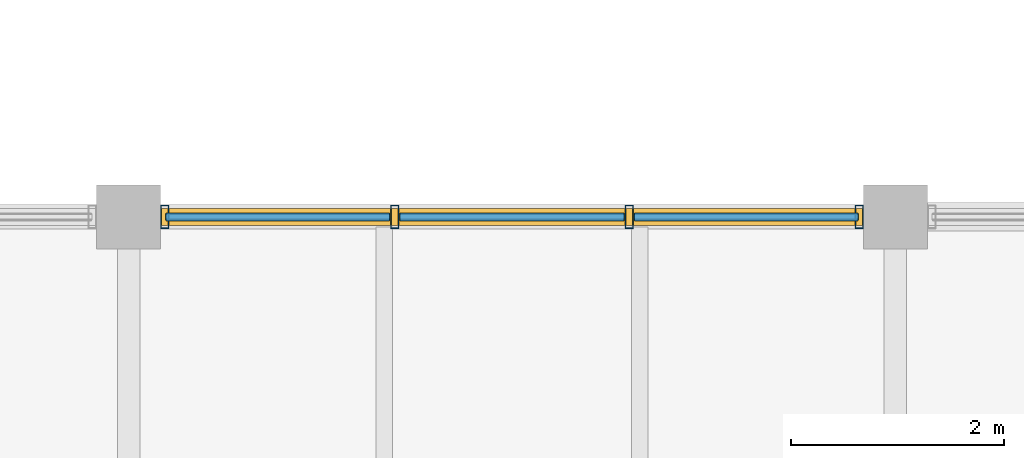
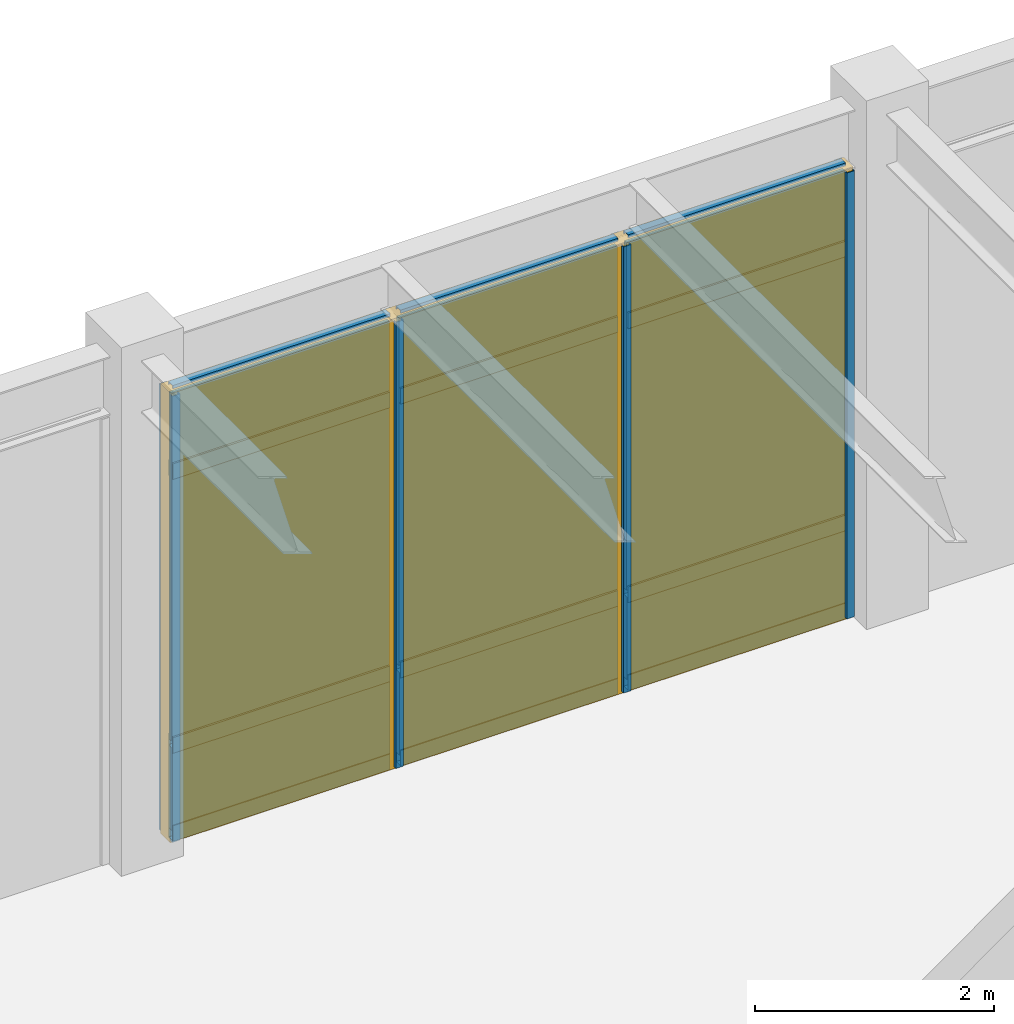
# One storey, part 60 of 97: 16 members, 6 plates, 1 curtain wall.
"""IFC4 building model written with IfcOpenShell, lengths in metres."""

from ifc_helpers import new_model, si_unit, direction, frame, origin, origin_2d, place, context, subcontext, project, spatial, rectangle, hollow_rectangle, extrude, material, layer, layer_set, material_profile, profile_set, type_object, element, aggregate, save


model = new_model("IFC4")

# Units and contexts
model_context = context("Model", 3, precision=1e-05, world=origin(), true_north=direction((0.0, 1.0)))
body_context = subcontext(model_context, "Body", "Model", "MODEL_VIEW")
ifc_project = project(units=[si_unit("LENGTHUNIT", "METRE"), si_unit("AREAUNIT", "SQUARE_METRE"), si_unit("VOLUMEUNIT", "CUBIC_METRE"), si_unit("PLANEANGLEUNIT", "RADIAN"), si_unit("MASSUNIT", "GRAM", prefix="KILO")], contexts=[model_context])

# Member
ifc_material_1 = material(Name="Anodized Aluminium 6063-T6", Category="aluminium")
ifc_material_profile_1 = material_profile(ifc_material_1, hollow_rectangle(XDim=0.074951171875, YDim=0.219970703125, WallThickness=0.0048828125, at=origin_2d()), Name="ALU 75x220x5")
ifc_profile_set_1 = profile_set([ifc_material_profile_1], Name="Anodized Aluminium 6063-T6")
member_type_1 = type_object("IfcMemberType", Name="CWM-75X180", PredefinedType="MULLION", material=ifc_profile_set_1)
site_placement = place(None, origin())
building_placement = place(site_placement, origin())
storey_placement = place(building_placement, origin())
member_1_placement = place(storey_placement, frame((93.93994140625, 57.60009765625, 0.02001953125), z_axis=(0.0, 0.0, 1.0), x_axis=(1.0, 0.0, 0.0)))
member_1 = element("IfcMember", 1, at=member_1_placement, type_object=member_type_1, Name="Curtain wall mullion CW-L01-13-07-N-00", PredefinedType="MULLION", context=body_context, shape_type="SweptSolid", body=[
    extrude(hollow_rectangle(XDim=0.074951171875, YDim=0.219970703125, WallThickness=0.0048828125, at=origin_2d()), origin(), (0.0, 0.0, 1.0), 4.557861328125),
])

member_2_placement = place(storey_placement, frame((96.10009765625, 57.60009765625, 0.02001953125), z_axis=(0.0, 0.0, 1.0), x_axis=(1.0, 0.0, 0.0)))
member_2 = element("IfcMember", 2, at=member_2_placement, type_object=member_type_1, Name="Curtain wall mullion CW-L01-13-07-N-01", PredefinedType="MULLION", context=body_context, shape_type="SweptSolid", body=[
    extrude(hollow_rectangle(XDim=0.074951171875, YDim=0.219970703125, WallThickness=0.0048828125, at=origin_2d()), origin(), (0.0, 0.0, 1.0), 4.557861328125),
])

member_3_placement = place(storey_placement, frame((98.300048828125, 57.60009765625, 0.02001953125), z_axis=(0.0, 0.0, 1.0), x_axis=(1.0, 0.0, 0.0)))
member_3 = element("IfcMember", 3, at=member_3_placement, type_object=member_type_1, Name="Curtain wall mullion CW-L01-13-07-N-02", PredefinedType="MULLION", context=body_context, shape_type="SweptSolid", body=[
    extrude(hollow_rectangle(XDim=0.074951171875, YDim=0.219970703125, WallThickness=0.0048828125, at=origin_2d()), origin(), (0.0, 0.0, 1.0), 4.557861328125),
])

member_4_placement = place(storey_placement, frame((100.4599609375, 57.60009765625, 0.02001953125), z_axis=(0.0, 0.0, 1.0), x_axis=(1.0, 0.0, 0.0)))
member_4 = element("IfcMember", 4, at=member_4_placement, type_object=member_type_1, Name="Curtain wall mullion CW-L01-13-07-N-03", PredefinedType="MULLION", context=body_context, shape_type="SweptSolid", body=[
    extrude(hollow_rectangle(XDim=0.074951171875, YDim=0.219970703125, WallThickness=0.0048828125, at=origin_2d()), origin(), (0.0, 0.0, 1.0), 4.557861328125),
])

ifc_material_profile_2 = material_profile(ifc_material_1, hollow_rectangle(XDim=0.074951171875, YDim=0.159912109375, WallThickness=0.00390625, at=origin_2d()), Name="ALU 75x160x4")
ifc_profile_set_2 = profile_set([ifc_material_profile_2], Name="Anodized Aluminium 6063-T6")
member_type_2 = type_object("IfcMemberType", Name="CWT-75X150", PredefinedType="USERDEFINED", material=ifc_profile_set_2)
member_5_placement = place(storey_placement, frame((93.949951171875, 57.60009765625, 0.050048828125), z_axis=(1.0, 0.0, 0.0), x_axis=(0.0, 1.0, 0.0)))
member_5 = element("IfcMember", 5, at=member_5_placement, type_object=member_type_2, Name="Curtain wall transom CW-L01-13-07-N-1.01", ObjectType="TRANSOM", PredefinedType="USERDEFINED", context=body_context, shape_type="SweptSolid", body=[
    extrude(hollow_rectangle(XDim=0.074951171875, YDim=0.159912109375, WallThickness=0.00390625, at=origin_2d()), origin(), (0.0, 0.0, 1.0), 2.10009765625),
])

member_6_placement = place(storey_placement, frame((96.14990234375, 57.60009765625, 0.050048828125), z_axis=(1.0, 0.0, 0.0), x_axis=(0.0, 1.0, 0.0)))
member_6 = element("IfcMember", 6, at=member_6_placement, type_object=member_type_2, Name="Curtain wall transom CW-L01-13-07-N-1.02", ObjectType="TRANSOM", PredefinedType="USERDEFINED", context=body_context, shape_type="SweptSolid", body=[
    extrude(hollow_rectangle(XDim=0.074951171875, YDim=0.159912109375, WallThickness=0.00390625, at=origin_2d()), origin(), (0.0, 0.0, 1.0), 2.10009765625),
])

member_7_placement = place(storey_placement, frame((98.35009765625, 57.60009765625, 0.050048828125), z_axis=(1.0, 0.0, 0.0), x_axis=(0.0, 1.0, 0.0)))
member_7 = element("IfcMember", 7, at=member_7_placement, type_object=member_type_2, Name="Curtain wall transom CW-L01-13-07-N-1.03", ObjectType="TRANSOM", PredefinedType="USERDEFINED", context=body_context, shape_type="SweptSolid", body=[
    extrude(hollow_rectangle(XDim=0.074951171875, YDim=0.159912109375, WallThickness=0.00390625, at=origin_2d()), origin(), (0.0, 0.0, 1.0), 2.099853515625),
])

member_8_placement = place(storey_placement, frame((93.949951171875, 57.60009765625, 0.949951171875), z_axis=(1.0, 0.0, 0.0), x_axis=(0.0, 1.0, 0.0)))
member_8 = element("IfcMember", 8, at=member_8_placement, type_object=member_type_2, Name="Curtain wall transom CW-L01-13-07-N-2.01", ObjectType="TRANSOM", PredefinedType="USERDEFINED", context=body_context, shape_type="SweptSolid", body=[
    extrude(hollow_rectangle(XDim=0.074951171875, YDim=0.159912109375, WallThickness=0.00390625, at=origin_2d()), origin(), (0.0, 0.0, 1.0), 2.10009765625),
])

member_9_placement = place(storey_placement, frame((96.14990234375, 57.60009765625, 0.949951171875), z_axis=(1.0, 0.0, 0.0), x_axis=(0.0, 1.0, 0.0)))
member_9 = element("IfcMember", 9, at=member_9_placement, type_object=member_type_2, Name="Curtain wall transom CW-L01-13-07-N-2.02", ObjectType="TRANSOM", PredefinedType="USERDEFINED", context=body_context, shape_type="SweptSolid", body=[
    extrude(hollow_rectangle(XDim=0.074951171875, YDim=0.159912109375, WallThickness=0.00390625, at=origin_2d()), origin(), (0.0, 0.0, 1.0), 2.10009765625),
])

member_10_placement = place(storey_placement, frame((98.35009765625, 57.60009765625, 0.949951171875), z_axis=(1.0, 0.0, 0.0), x_axis=(0.0, 1.0, 0.0)))
member_10 = element("IfcMember", 10, at=member_10_placement, type_object=member_type_2, Name="Curtain wall transom CW-L01-13-07-N-2.03", ObjectType="TRANSOM", PredefinedType="USERDEFINED", context=body_context, shape_type="SweptSolid", body=[
    extrude(hollow_rectangle(XDim=0.074951171875, YDim=0.159912109375, WallThickness=0.00390625, at=origin_2d()), origin(), (0.0, 0.0, 1.0), 2.099853515625),
])

member_11_placement = place(storey_placement, frame((93.949951171875, 57.60009765625, 3.748046875), z_axis=(1.0, 0.0, 0.0), x_axis=(0.0, 1.0, 0.0)))
member_11 = element("IfcMember", 11, at=member_11_placement, type_object=member_type_2, Name="Curtain wall transom CW-L01-13-07-N-3.01", ObjectType="TRANSOM", PredefinedType="USERDEFINED", context=body_context, shape_type="SweptSolid", body=[
    extrude(hollow_rectangle(XDim=0.074951171875, YDim=0.159912109375, WallThickness=0.00390625, at=origin_2d()), origin(), (0.0, 0.0, 1.0), 2.10009765625),
])

member_12_placement = place(storey_placement, frame((96.14990234375, 57.60009765625, 3.748046875), z_axis=(1.0, 0.0, 0.0), x_axis=(0.0, 1.0, 0.0)))
member_12 = element("IfcMember", 12, at=member_12_placement, type_object=member_type_2, Name="Curtain wall transom CW-L01-13-07-N-3.02", ObjectType="TRANSOM", PredefinedType="USERDEFINED", context=body_context, shape_type="SweptSolid", body=[
    extrude(hollow_rectangle(XDim=0.074951171875, YDim=0.159912109375, WallThickness=0.00390625, at=origin_2d()), origin(), (0.0, 0.0, 1.0), 2.10009765625),
])

member_13_placement = place(storey_placement, frame((98.35009765625, 57.60009765625, 3.748046875), z_axis=(1.0, 0.0, 0.0), x_axis=(0.0, 1.0, 0.0)))
member_13 = element("IfcMember", 13, at=member_13_placement, type_object=member_type_2, Name="Curtain wall transom CW-L01-13-07-N-3.03", ObjectType="TRANSOM", PredefinedType="USERDEFINED", context=body_context, shape_type="SweptSolid", body=[
    extrude(hollow_rectangle(XDim=0.074951171875, YDim=0.159912109375, WallThickness=0.00390625, at=origin_2d()), origin(), (0.0, 0.0, 1.0), 2.099853515625),
])

member_14_placement = place(storey_placement, frame((93.949951171875, 57.60009765625, 4.548095703125), z_axis=(1.0, 0.0, 0.0), x_axis=(0.0, 1.0, 0.0)))
member_14 = element("IfcMember", 14, at=member_14_placement, type_object=member_type_2, Name="Curtain wall transom CW-L01-13-07-N-4.01", ObjectType="TRANSOM", PredefinedType="USERDEFINED", context=body_context, shape_type="SweptSolid", body=[
    extrude(hollow_rectangle(XDim=0.074951171875, YDim=0.159912109375, WallThickness=0.00390625, at=origin_2d()), origin(), (0.0, 0.0, 1.0), 2.10009765625),
])

member_15_placement = place(storey_placement, frame((96.14990234375, 57.60009765625, 4.548095703125), z_axis=(1.0, 0.0, 0.0), x_axis=(0.0, 1.0, 0.0)))
member_15 = element("IfcMember", 15, at=member_15_placement, type_object=member_type_2, Name="Curtain wall transom CW-L01-13-07-N-4.02", ObjectType="TRANSOM", PredefinedType="USERDEFINED", context=body_context, shape_type="SweptSolid", body=[
    extrude(hollow_rectangle(XDim=0.074951171875, YDim=0.159912109375, WallThickness=0.00390625, at=origin_2d()), origin(), (0.0, 0.0, 1.0), 2.10009765625),
])

member_16_placement = place(storey_placement, frame((98.35009765625, 57.60009765625, 4.548095703125), z_axis=(1.0, 0.0, 0.0), x_axis=(0.0, 1.0, 0.0)))
member_16 = element("IfcMember", 16, at=member_16_placement, type_object=member_type_2, Name="Curtain wall transom CW-L01-13-07-N-4.03", ObjectType="TRANSOM", PredefinedType="USERDEFINED", context=body_context, shape_type="SweptSolid", body=[
    extrude(hollow_rectangle(XDim=0.074951171875, YDim=0.159912109375, WallThickness=0.00390625, at=origin_2d()), origin(), (0.0, 0.0, 1.0), 2.099853515625),
])

# Plate
ifc_material_2 = material(Name="Acoustic Laminated Low-E Glazing", Category="glass")
ifc_layer_1 = layer(ifc_material_2, 0.0439453125)
ifc_layer_set_1 = layer_set([ifc_layer_1], Name="Acoustic Laminated Low-E Glazing")
plate_type_1 = type_object("IfcPlateType", Name="CWP-IGU-44", PredefinedType="CURTAIN_PANEL", material=ifc_layer_set_1)
plate_1_placement = place(storey_placement, frame((95.0, 57.60009765625, 0.98974609375), z_axis=(0.0, 0.0, 1.0), x_axis=(1.0, 0.0, 0.0)))
plate_1 = element("IfcPlate", 17, at=plate_1_placement, type_object=plate_type_1, Name="Curtain wall vision glazing CW-L01-13-07-N-01", PredefinedType="CURTAIN_PANEL", context=body_context, shape_type="SweptSolid", body=[
    extrude(rectangle(XDim=2.110107421875, YDim=0.0400390625, at=origin_2d()), origin(), (0.0, 0.0, 1.0), 3.548095703125),
])

plate_2_placement = place(storey_placement, frame((97.199951171875, 57.60009765625, 0.98974609375), z_axis=(0.0, 0.0, 1.0), x_axis=(1.0, 0.0, 0.0)))
plate_2 = element("IfcPlate", 18, at=plate_2_placement, type_object=plate_type_1, Name="Curtain wall vision glazing CW-L01-13-07-N-02", PredefinedType="CURTAIN_PANEL", context=body_context, shape_type="SweptSolid", body=[
    extrude(rectangle(XDim=2.110107421875, YDim=0.0400390625, at=origin_2d()), origin(), (0.0, 0.0, 1.0), 3.548095703125),
])

plate_3_placement = place(storey_placement, frame((99.39990234375, 57.60009765625, 0.98974609375), z_axis=(0.0, 0.0, 1.0), x_axis=(1.0, 0.0, 0.0)))
plate_3 = element("IfcPlate", 19, at=plate_3_placement, type_object=plate_type_1, Name="Curtain wall vision glazing CW-L01-13-07-N-03", PredefinedType="CURTAIN_PANEL", context=body_context, shape_type="SweptSolid", body=[
    extrude(rectangle(XDim=2.110107421875, YDim=0.0400390625, at=origin_2d()), origin(), (0.0, 0.0, 1.0), 3.548095703125),
])

ifc_material_3 = material(Name="Insulated Stone-Composite Spandrel", Category="masonry")
ifc_layer_2 = layer(ifc_material_3, 0.068115234375)
ifc_layer_set_2 = layer_set([ifc_layer_2], Name="Insulated Stone-Composite Spandrel")
plate_type_2 = type_object("IfcPlateType", Name="CWP-SPN-68", PredefinedType="CURTAIN_PANEL", material=ifc_layer_set_2)
plate_4_placement = place(storey_placement, frame((95.0, 57.60009765625, 0.080078125), z_axis=(0.0, 0.0, 1.0), x_axis=(1.0, 0.0, 0.0)))
plate_4 = element("IfcPlate", 20, at=plate_4_placement, type_object=plate_type_2, Name="Curtain wall spandrel panel CW-L01-13-07-N-01", PredefinedType="CURTAIN_PANEL", context=body_context, shape_type="SweptSolid", body=[
    extrude(rectangle(XDim=2.110107421875, YDim=0.06005859375, at=origin_2d()), origin(), (0.0, 0.0, 1.0), 0.840087890625),
])

plate_5_placement = place(storey_placement, frame((97.199951171875, 57.60009765625, 0.080078125), z_axis=(0.0, 0.0, 1.0), x_axis=(1.0, 0.0, 0.0)))
plate_5 = element("IfcPlate", 21, at=plate_5_placement, type_object=plate_type_2, Name="Curtain wall spandrel panel CW-L01-13-07-N-02", PredefinedType="CURTAIN_PANEL", context=body_context, shape_type="SweptSolid", body=[
    extrude(rectangle(XDim=2.110107421875, YDim=0.06005859375, at=origin_2d()), origin(), (0.0, 0.0, 1.0), 0.840087890625),
])

plate_6_placement = place(storey_placement, frame((99.39990234375, 57.60009765625, 0.080078125), z_axis=(0.0, 0.0, 1.0), x_axis=(1.0, 0.0, 0.0)))
plate_6 = element("IfcPlate", 22, at=plate_6_placement, type_object=plate_type_2, Name="Curtain wall spandrel panel CW-L01-13-07-N-03", PredefinedType="CURTAIN_PANEL", context=body_context, shape_type="SweptSolid", body=[
    extrude(rectangle(XDim=2.110107421875, YDim=0.06005859375, at=origin_2d()), origin(), (0.0, 0.0, 1.0), 0.840087890625),
])

# Site, building, storey
site = spatial("IfcSite", under=ifc_project, at=site_placement, CompositionType="ELEMENT")
building = spatial("IfcBuilding", under=site, at=building_placement, Name="Sillqori Civic Hall", CompositionType="ELEMENT")
storey = spatial("IfcBuildingStorey", under=building, at=storey_placement, Name="L01", CompositionType="ELEMENT", Elevation=0.0)

# Curtain wall
ifc_material_4 = material(Name="Anodized Aluminium Curtain Wall System", Category="aluminium")
curtain_wall_type = type_object("IfcCurtainWallType", Name="CW-SF-480", PredefinedType="NOTDEFINED", material=ifc_material_4)
curtain_wall_placement = place(storey_placement, frame((97.199951171875, 57.60009765625, 0.0), z_axis=(0.0, 0.0, 1.0), x_axis=(1.0, 0.0, 0.0)))
curtain_wall = element("IfcCurtainWall", 23, at=curtain_wall_placement, inside=storey, type_object=curtain_wall_type, Name="L01 unitised curtain wall CW-L01-13-07-N", PredefinedType="NOTDEFINED", context=body_context, shape_type="SweptSolid", body=[
    extrude(rectangle(XDim=6.60009765625, YDim=0.159912109375, at=origin_2d()), origin(), (0.0, 0.0, 1.0), 4.597900390625),
])

aggregate(curtain_wall, [member_1, member_2, member_3, member_4, member_5, member_6, member_7, member_8, member_9, member_10, member_11, member_12, member_13, member_14, member_15, member_16, plate_4, plate_1, plate_5, plate_2, plate_6, plate_3])

save(model, "model.ifc")
